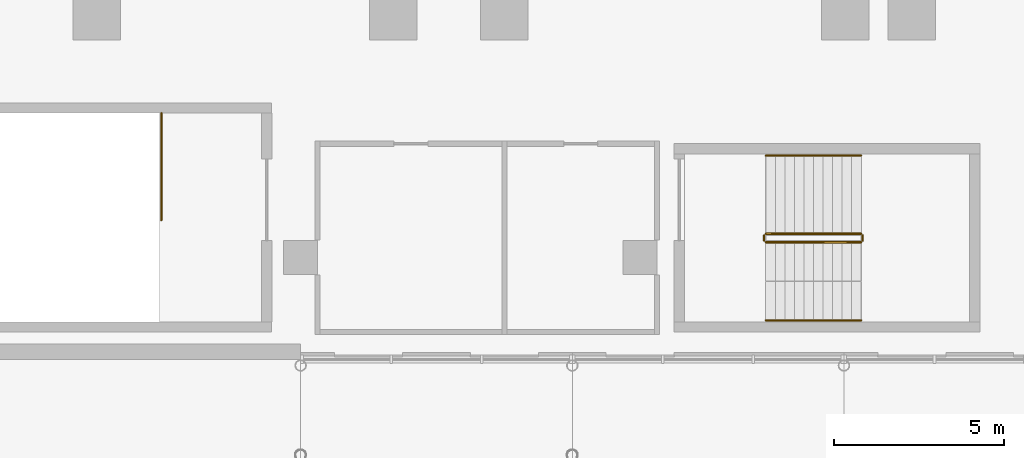
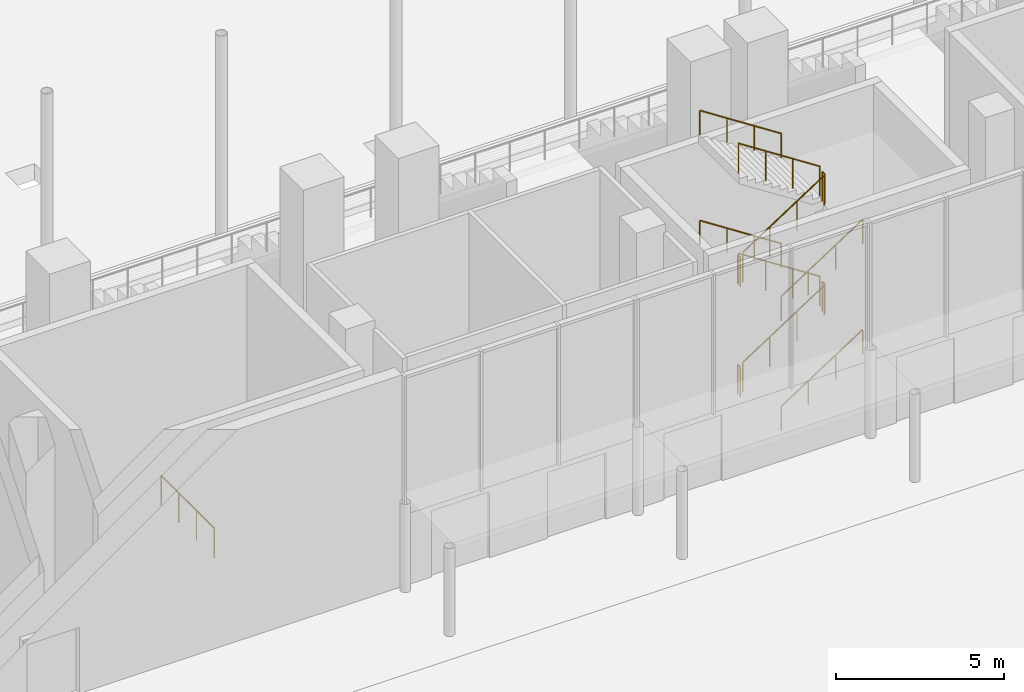
# One storey, part 33 of 41: 13 railings.
"""IFC4 building model written with IfcOpenShell, lengths in metres."""

import ifcopenshell
import ifcopenshell.guid

model = None  # the IFC model being written
_history = None  # IfcOwnerHistory: only IFC2X3 demands one
_inside = {}  # id of a spatial element -> (the spatial element, [elements in it])
_under = {}  # id of a project, library or spatial element -> (it, [spatial elements below it])
_declared = {}  # id of a project -> (the project, [libraries it declares])
_typed = {}  # id of a type object -> (the type object, [elements of that type])
_made_of = {}  # id of a material, layer set ... -> (it, [elements and type objects made of it])


def new_model(schema):
    """Start an empty IFC model of exactly this schema.

    Asked for "IFC4X3", IfcOpenShell would pick the latest addendum, in which some entities
    have other attributes; the version numbers below select the first issue.
    IFC2X3 requires an IfcOwnerHistory on every rooted entity: one is made here for all.
    """
    global model, _history
    if schema == "IFC4X3":
        model = ifcopenshell.file(schema_version=(4, 3, 0, 0))
    else:
        model = ifcopenshell.file(schema=schema)
    _inside.clear()
    _under.clear()
    _declared.clear()
    _typed.clear()
    _made_of.clear()
    _history = None
    if model.schema == "IFC2X3":
        org = make("IfcOrganization", Name="unknown")
        user = make(
            "IfcPersonAndOrganization",
            ThePerson=make("IfcPerson", FamilyName="unknown"),
            TheOrganization=org,
        )
        app = make(
            "IfcApplication",
            ApplicationDeveloper=org,
            Version="unknown",
            ApplicationFullName="unknown",
            ApplicationIdentifier="unknown",
        )
        _history = make(
            "IfcOwnerHistory",
            OwningUser=user,
            OwningApplication=app,
            ChangeAction="ADDED",
            CreationDate=0,
        )
    return model


def make(cls, **values):
    """One entity of the class cls with the attributes given. An attribute that is None is left unset."""
    return model.create_entity(
        cls, **{name: value for name, value in values.items() if value is not None}
    )


def rooted(cls, **values):
    """An entity with a GlobalId (a new one), such as an element, a storey or a relation."""
    return make(cls, GlobalId=ifcopenshell.guid.new(), OwnerHistory=_history, **values)


def si_unit(unit_type, name, prefix=None):
    """IfcSIUnit, for example si_unit("LENGTHUNIT", "METRE", prefix="MILLI")."""
    return make("IfcSIUnit", UnitType=unit_type, Prefix=prefix, Name=name)


def assignment(units):
    """IfcUnitAssignment: the units of a project."""
    return None if units is None else make("IfcUnitAssignment", Units=units)


def point(xyz):
    """IfcCartesianPoint."""
    return None if xyz is None else make("IfcCartesianPoint", Coordinates=xyz)


def direction(xyz):
    """IfcDirection."""
    return None if xyz is None else make("IfcDirection", DirectionRatios=xyz)


def frame(location, z_axis=None, x_axis=None):
    """IfcAxis2Placement3D, a coordinate frame: its origin and axes. An axis left out is left unset."""
    return make(
        "IfcAxis2Placement3D",
        Location=point(location),
        Axis=direction(z_axis),
        RefDirection=direction(x_axis),
    )


def frame_2d(location, x_axis=None):
    """IfcAxis2Placement2D, a coordinate frame in the plane: its origin and x axis."""
    return make(
        "IfcAxis2Placement2D", Location=point(location), RefDirection=direction(x_axis)
    )


def origin():
    """The frame at (0, 0, 0) with its axes left unset."""
    return frame((0.0, 0.0, 0.0))


def origin_2d():
    """The frame at (0, 0) in the plane with its x axis left unset."""
    return frame_2d((0.0, 0.0))


def place(relative_to, where):
    """IfcLocalPlacement: puts the frame where relative to a parent placement (None: the world)."""
    return make(
        "IfcLocalPlacement", PlacementRelTo=relative_to, RelativePlacement=where
    )


def context(
    kind, dimensions, precision=None, world=None, true_north=None, identifier=None
):
    """IfcGeometricRepresentationContext, for example the 3D "Model" context."""
    return make(
        "IfcGeometricRepresentationContext",
        ContextIdentifier=identifier,
        ContextType=kind,
        CoordinateSpaceDimension=dimensions,
        Precision=precision,
        WorldCoordinateSystem=world,
        TrueNorth=true_north,
    )


def subcontext(parent, identifier, kind, view, scale=None):
    """IfcGeometricRepresentationSubContext, for example "Body" below "Model"."""
    return make(
        "IfcGeometricRepresentationSubContext",
        ContextIdentifier=identifier,
        ContextType=kind,
        ParentContext=parent,
        TargetScale=scale,
        TargetView=view,
    )


def project(units=None, contexts=None):
    """IfcProject with its units and contexts."""
    return rooted(
        "IfcProject",
        Name="project",
        RepresentationContexts=contexts,
        UnitsInContext=assignment(units),
    )


def spatial(cls, under=None, at=None, **own):
    """A site, building, storey or space (cls), placed at a placement, below another one or the project."""
    s = rooted(cls, ObjectPlacement=at, **own)
    if under is not None:
        _under.setdefault(under.id(), (under, []))[1].append(s)
    return s


def profile(cls, at=None, kind="AREA", **sizes):
    """A parametric profile (cls). Its sizes go by their IFC names, for example OverallWidth=200.0."""
    return make(cls, ProfileType=kind, Position=at, **sizes)


def circle(**sizes):
    """IfcCircleProfileDef."""
    return profile("IfcCircleProfileDef", **sizes)


def extrude(swept, where, along, depth):
    """IfcExtrudedAreaSolid: the profile swept, set in the frame where, extruded along a direction by depth."""
    return make(
        "IfcExtrudedAreaSolid",
        SweptArea=swept,
        Position=where,
        ExtrudedDirection=direction(along),
        Depth=depth,
    )


def shape(context_of_items, identifier, shape_type, items):
    """IfcShapeRepresentation: the items that make up one representation, for example the "Body"."""
    return make(
        "IfcShapeRepresentation",
        ContextOfItems=context_of_items,
        RepresentationIdentifier=identifier,
        RepresentationType=shape_type,
        Items=items,
    )


def material(Name=None, Category=None):
    """IfcMaterial."""
    return make("IfcMaterial", Name=Name, Category=Category)


def made_of(thing, what):
    """Note that an element or type object is made of a material, layer set ...; save() writes the relation."""
    if what is not None:
        _made_of.setdefault(what.id(), (what, []))[1].append(thing)
    return thing


def type_object(cls, material=None, **own):
    """A type object (cls), such as IfcWallType, which elements share."""
    return made_of(rooted(cls, **own), material)


def element(
    cls,
    number,
    at=None,
    inside=None,
    cuts=None,
    type_object=None,
    material=None,
    context=None,
    identifier="Body",
    shape_type=None,
    held_by="IfcProductDefinitionShape",
    body=None,
    shapes=None,
    **own,
):
    """One element of the class cls, such as IfcWall. Its Tag is "e" and its number.

    at: its placement. inside: the storey or other place that contains it. cuts: it is an
    opening in that element (IfcRelVoidsElement). A single representation is given by context,
    identifier, shape_type and body (its items); several are given by shapes. held_by: the class
    of the entity that holds the representations. save() writes the other relations.
    """
    e = rooted(cls, Tag="e%d" % number, ObjectPlacement=at, **own)
    if body is not None:
        shapes = [shape(context, identifier, shape_type, body)]
    if shapes is not None:
        e.Representation = make(held_by, Representations=shapes)
    if inside is not None:
        _inside.setdefault(inside.id(), (inside, []))[1].append(e)
    if cuts is not None:
        rooted(
            "IfcRelVoidsElement", RelatingBuildingElement=cuts, RelatedOpeningElement=e
        )
    if type_object is not None:
        _typed.setdefault(type_object.id(), (type_object, []))[1].append(e)
    return made_of(e, material)


def aggregate(whole, parts):
    """IfcRelAggregates: a whole, such as a stair, and the parts it consists of."""
    return rooted("IfcRelAggregates", RelatingObject=whole, RelatedObjects=parts)


def save(model, path):
    """Write the relations noted so far, then the file.

    IfcRelAggregates (storeys below a building ...), IfcRelContainedInSpatialStructure (elements
    in a storey), IfcRelDefinesByType, IfcRelAssociatesMaterial and IfcRelDeclares: one each for
    every whole, place, type object, material and project.
    """
    for whole, parts in _under.values():
        aggregate(whole, parts)
    for where, things in _inside.values():
        rooted(
            "IfcRelContainedInSpatialStructure",
            RelatedElements=things,
            RelatingStructure=where,
        )
    for kind, things in _typed.values():
        rooted("IfcRelDefinesByType", RelatedObjects=things, RelatingType=kind)
    for what, things in _made_of.values():
        rooted("IfcRelAssociatesMaterial", RelatedObjects=things, RelatingMaterial=what)
    for by, libraries in _declared.values():
        rooted("IfcRelDeclares", RelatingContext=by, RelatedDefinitions=libraries)
    model.write(path)


model = new_model("IFC4")

# Units and contexts
model_context = context("Model", 3, precision=1e-05, world=origin(), true_north=direction((0.0, 1.0)))
body_context = subcontext(model_context, "Body", "Model", "MODEL_VIEW")
ifc_project = project(units=[si_unit("LENGTHUNIT", "METRE"), si_unit("AREAUNIT", "SQUARE_METRE"), si_unit("VOLUMEUNIT", "CUBIC_METRE"), si_unit("PLANEANGLEUNIT", "RADIAN"), si_unit("MASSUNIT", "GRAM", prefix="KILO")], contexts=[model_context])

# Site, building, storey
site_placement = place(None, origin())
site = spatial("IfcSite", under=ifc_project, at=site_placement, CompositionType="ELEMENT")
building_placement = place(site_placement, origin())
building = spatial("IfcBuilding", under=site, at=building_placement, Name="Wharfspan Tower", CompositionType="ELEMENT")
storey_placement = place(building_placement, origin())
storey = spatial("IfcBuildingStorey", under=building, at=storey_placement, Name="L00", CompositionType="ELEMENT", Elevation=0.0)

# Railings
ifc_material = material(Name="Steel S355J2", Category="steel")
railing_type_1 = type_object("IfcRailingType", Name="Podium guard 1100", PredefinedType="GUARDRAIL", material=ifc_material)
railing_1_placement = place(storey_placement, frame((43.699951, -28.550049, 0.181885)))
element("IfcRailing", 1, at=railing_1_placement, inside=storey, type_object=railing_type_1, Name="L00 AS5 stair guard 1", PredefinedType="GUARDRAIL", context=body_context, shape_type="SweptSolid", body=[
    extrude(circle(Radius=0.023926, at=origin_2d()), frame((0.0, 0.0, 1.076172), z_axis=(0.838706, 0.0, 0.544585), x_axis=(0.0, 1.0, 0.0)), (0.0, 0.0, 1.0), 3.338623),
    extrude(circle(Radius=0.020996, at=origin_2d()), origin(), (0.0, 0.0, 1.0), 1.052002),
    extrude(circle(Radius=0.020996, at=origin_2d()), frame((0.93335, 0.0, 0.605957)), (0.0, 0.0, 1.0), 1.052002),
    extrude(circle(Radius=0.020996, at=origin_2d()), frame((1.866699, 0.0, 1.212158)), (0.0, 0.0, 1.0), 1.052002),
    extrude(circle(Radius=0.020996, at=origin_2d()), frame((2.800049, 0.0, 1.818115)), (0.0, 0.0, 1.0), 1.052002),
])
railing_2_placement = place(storey_placement, frame((46.550049, -28.5, 2.0)))
element("IfcRailing", 2, at=railing_2_placement, inside=storey, type_object=railing_type_1, Name="L00 AS5 stair guard 2", PredefinedType="GUARDRAIL", context=body_context, shape_type="SweptSolid", body=[
    extrude(circle(Radius=0.023926, at=origin_2d()), frame((0.0, 0.0, 1.076172), z_axis=(0.0, 1.0, 0.0), x_axis=(-1.0, 0.0, 0.0)), (0.0, 0.0, 1.0), 0.149902),
    extrude(circle(Radius=0.020996, at=origin_2d()), origin(), (0.0, 0.0, 1.0), 1.052002),
    extrude(circle(Radius=0.020996, at=origin_2d()), frame((0.0, 0.149902, 0.0)), (0.0, 0.0, 1.0), 1.052002),
])
railing_3_placement = place(storey_placement, frame((46.5, -28.300049, 2.181885)))
element("IfcRailing", 3, at=railing_3_placement, inside=storey, type_object=railing_type_1, Name="L00 AS5 stair guard 3", PredefinedType="GUARDRAIL", context=body_context, shape_type="SweptSolid", body=[
    extrude(circle(Radius=0.023926, at=origin_2d()), frame((0.0, 0.0, 1.076172), z_axis=(-0.838706, 0.0, 0.544585), x_axis=(0.0, -1.0, 0.0)), (0.0, 0.0, 1.0), 3.338623),
    extrude(circle(Radius=0.020996, at=origin_2d()), origin(), (0.0, 0.0, 1.0), 1.052002),
    extrude(circle(Radius=0.020996, at=origin_2d()), frame((-0.93335, 0.0, 0.605957)), (0.0, 0.0, 1.0), 1.052002),
    extrude(circle(Radius=0.020996, at=origin_2d()), frame((-1.866699, 0.0, 1.212158)), (0.0, 0.0, 1.0), 1.052002),
    extrude(circle(Radius=0.020996, at=origin_2d()), frame((-2.800049, 0.0, 1.818115)), (0.0, 0.0, 1.0), 1.052002),
])
railing_4_placement = place(storey_placement, frame((43.649902, -28.5, 4.0)))
element("IfcRailing", 4, at=railing_4_placement, inside=storey, type_object=railing_type_1, Name="L00 AS5 stair guard 4", PredefinedType="GUARDRAIL", context=body_context, shape_type="SweptSolid", body=[
    extrude(circle(Radius=0.023926, at=origin_2d()), frame((0.0, 0.0, 1.076172), z_axis=(0.0, 1.0, 0.0), x_axis=(-1.0, 0.0, 0.0)), (0.0, 0.0, 1.0), 0.149902),
    extrude(circle(Radius=0.020996, at=origin_2d()), origin(), (0.0, 0.0, 1.0), 1.052002),
    extrude(circle(Radius=0.020996, at=origin_2d()), frame((0.0, 0.149902, 0.0)), (0.0, 0.0, 1.0), 1.052002),
])
railing_5_placement = place(storey_placement, frame((43.699951, -28.550049, 4.181885)))
element("IfcRailing", 5, at=railing_5_placement, inside=storey, type_object=railing_type_1, Name="L00 AS5 stair guard 5", PredefinedType="GUARDRAIL", context=body_context, shape_type="SweptSolid", body=[
    extrude(circle(Radius=0.023926, at=origin_2d()), frame((0.0, 0.0, 1.076172), z_axis=(0.838706, 0.0, 0.544585), x_axis=(0.0, 1.0, 0.0)), (0.0, 0.0, 1.0), 3.338623),
    extrude(circle(Radius=0.020996, at=origin_2d()), origin(), (0.0, 0.0, 1.0), 1.052002),
    extrude(circle(Radius=0.020996, at=origin_2d()), frame((0.93335, 0.0, 0.605957)), (0.0, 0.0, 1.0), 1.052002),
    extrude(circle(Radius=0.020996, at=origin_2d()), frame((1.866699, 0.0, 1.212158)), (0.0, 0.0, 1.0), 1.052002),
    extrude(circle(Radius=0.020996, at=origin_2d()), frame((2.800049, 0.0, 1.818115)), (0.0, 0.0, 1.0), 1.052002),
])
railing_6_placement = place(storey_placement, frame((46.550049, -28.5, 6.0)))
element("IfcRailing", 6, at=railing_6_placement, inside=storey, type_object=railing_type_1, Name="L00 AS5 stair guard 6", PredefinedType="GUARDRAIL", context=body_context, shape_type="SweptSolid", body=[
    extrude(circle(Radius=0.023926, at=origin_2d()), frame((0.0, 0.0, 1.076172), z_axis=(0.0, 1.0, 0.0), x_axis=(-1.0, 0.0, 0.0)), (0.0, 0.0, 1.0), 0.149902),
    extrude(circle(Radius=0.020996, at=origin_2d()), origin(), (0.0, 0.0, 1.0), 1.052002),
    extrude(circle(Radius=0.020996, at=origin_2d()), frame((0.0, 0.149902, 0.0)), (0.0, 0.0, 1.0), 1.052002),
])
railing_7_placement = place(storey_placement, frame((46.5, -28.300049, 6.181885)))
element("IfcRailing", 7, at=railing_7_placement, inside=storey, type_object=railing_type_1, Name="L00 AS5 stair guard 7", PredefinedType="GUARDRAIL", context=body_context, shape_type="SweptSolid", body=[
    extrude(circle(Radius=0.023926, at=origin_2d()), frame((0.0, 0.0, 1.076172), z_axis=(-0.838706, 0.0, 0.544585), x_axis=(0.0, -1.0, 0.0)), (0.0, 0.0, 1.0), 3.338623),
    extrude(circle(Radius=0.020996, at=origin_2d()), origin(), (0.0, 0.0, 1.0), 1.052002),
    extrude(circle(Radius=0.020996, at=origin_2d()), frame((-0.93335, 0.0, 0.605957)), (0.0, 0.0, 1.0), 1.052002),
    extrude(circle(Radius=0.020996, at=origin_2d()), frame((-1.866699, 0.0, 1.212158)), (0.0, 0.0, 1.0), 1.052002),
    extrude(circle(Radius=0.020996, at=origin_2d()), frame((-2.800049, 0.0, 1.818115)), (0.0, 0.0, 1.0), 1.052002),
])
railing_8_placement = place(storey_placement, frame((43.649902, -28.5, 0.0)))
element("IfcRailing", 8, at=railing_8_placement, inside=storey, type_object=railing_type_1, Name="L00 AS5 stair guard 8", PredefinedType="GUARDRAIL", context=body_context, shape_type="SweptSolid", body=[
    extrude(circle(Radius=0.023926, at=origin_2d()), frame((0.0, 0.0, 1.076172), z_axis=(0.0, 1.0, 0.0), x_axis=(-1.0, 0.0, 0.0)), (0.0, 0.0, 1.0), 0.149902),
    extrude(circle(Radius=0.020996, at=origin_2d()), origin(), (0.0, 0.0, 1.0), 1.052002),
    extrude(circle(Radius=0.020996, at=origin_2d()), frame((0.0, 0.149902, 0.0)), (0.0, 0.0, 1.0), 1.052002),
])
railing_9_placement = place(storey_placement, frame((25.899902, -24.75, 0.0)))
element("IfcRailing", 9, at=railing_9_placement, inside=storey, type_object=railing_type_1, Name="L00 SB2 top well guard 1", PredefinedType="GUARDRAIL", context=body_context, shape_type="SweptSolid", body=[
    extrude(circle(Radius=0.023926, at=origin_2d()), frame((0.0, 0.0, 1.076172), z_axis=(0.0, -1.0, 0.0), x_axis=(1.0, 0.0, 0.0)), (0.0, 0.0, 1.0), 3.149902),
    extrude(circle(Radius=0.020996, at=origin_2d()), origin(), (0.0, 0.0, 1.0), 1.052002),
    extrude(circle(Radius=0.020996, at=origin_2d()), frame((0.0, -1.050049, 0.0)), (0.0, 0.0, 1.0), 1.052002),
    extrude(circle(Radius=0.020996, at=origin_2d()), frame((0.0, -2.099854, 0.0)), (0.0, 0.0, 1.0), 1.052002),
    extrude(circle(Radius=0.020996, at=origin_2d()), frame((0.0, -3.149902, 0.0)), (0.0, 0.0, 1.0), 1.052002),
])
railing_type_2 = type_object("IfcRailingType", Name="Podium stair handrail 900", PredefinedType="HANDRAIL", material=ifc_material)
railing_10_placement = place(storey_placement, frame((43.699951, -30.850098, 0.181885)))
element("IfcRailing", 10, at=railing_10_placement, inside=storey, type_object=railing_type_2, Name="L00 AS5 stair handrail 1", PredefinedType="HANDRAIL", context=body_context, shape_type="SweptSolid", body=[
    extrude(circle(Radius=0.023926, at=origin_2d()), frame((0.0, 0.0, 0.875977), z_axis=(0.838706, 0.0, 0.544585), x_axis=(0.0, 1.0, 0.0)), (0.0, 0.0, 1.0), 3.338623),
    extrude(circle(Radius=0.020996, at=origin_2d()), origin(), (0.0, 0.0, 1.0), 0.851807),
    extrude(circle(Radius=0.020996, at=origin_2d()), frame((0.93335, 0.0, 0.605957)), (0.0, 0.0, 1.0), 0.851807),
    extrude(circle(Radius=0.020996, at=origin_2d()), frame((1.866699, 0.0, 1.212158)), (0.0, 0.0, 1.0), 0.851807),
    extrude(circle(Radius=0.020996, at=origin_2d()), frame((2.800049, 0.0, 1.818115)), (0.0, 0.0, 1.0), 0.851807),
])
railing_11_placement = place(storey_placement, frame((46.5, -26.0, 2.181885)))
element("IfcRailing", 11, at=railing_11_placement, inside=storey, type_object=railing_type_2, Name="L00 AS5 stair handrail 2", PredefinedType="HANDRAIL", context=body_context, shape_type="SweptSolid", body=[
    extrude(circle(Radius=0.023926, at=origin_2d()), frame((0.0, 0.0, 0.875977), z_axis=(-0.838706, 0.0, 0.544585), x_axis=(0.0, -1.0, 0.0)), (0.0, 0.0, 1.0), 3.338623),
    extrude(circle(Radius=0.020996, at=origin_2d()), origin(), (0.0, 0.0, 1.0), 0.851807),
    extrude(circle(Radius=0.020996, at=origin_2d()), frame((-0.93335, 0.0, 0.605957)), (0.0, 0.0, 1.0), 0.851807),
    extrude(circle(Radius=0.020996, at=origin_2d()), frame((-1.866699, 0.0, 1.212158)), (0.0, 0.0, 1.0), 0.851807),
    extrude(circle(Radius=0.020996, at=origin_2d()), frame((-2.800049, 0.0, 1.818115)), (0.0, 0.0, 1.0), 0.851807),
])
railing_12_placement = place(storey_placement, frame((43.699951, -30.850098, 4.181885)))
element("IfcRailing", 12, at=railing_12_placement, inside=storey, type_object=railing_type_2, Name="L00 AS5 stair handrail 3", PredefinedType="HANDRAIL", context=body_context, shape_type="SweptSolid", body=[
    extrude(circle(Radius=0.023926, at=origin_2d()), frame((0.0, 0.0, 0.875977), z_axis=(0.838706, 0.0, 0.544585), x_axis=(0.0, 1.0, 0.0)), (0.0, 0.0, 1.0), 3.338623),
    extrude(circle(Radius=0.020996, at=origin_2d()), origin(), (0.0, 0.0, 1.0), 0.851807),
    extrude(circle(Radius=0.020996, at=origin_2d()), frame((0.93335, 0.0, 0.605957)), (0.0, 0.0, 1.0), 0.851807),
    extrude(circle(Radius=0.020996, at=origin_2d()), frame((1.866699, 0.0, 1.212158)), (0.0, 0.0, 1.0), 0.851807),
    extrude(circle(Radius=0.020996, at=origin_2d()), frame((2.800049, 0.0, 1.818115)), (0.0, 0.0, 1.0), 0.851807),
])
railing_13_placement = place(storey_placement, frame((46.5, -26.0, 6.181885)))
element("IfcRailing", 13, at=railing_13_placement, inside=storey, type_object=railing_type_2, Name="L00 AS5 stair handrail 4", PredefinedType="HANDRAIL", context=body_context, shape_type="SweptSolid", body=[
    extrude(circle(Radius=0.023926, at=origin_2d()), frame((0.0, 0.0, 0.875977), z_axis=(-0.838706, 0.0, 0.544585), x_axis=(0.0, -1.0, 0.0)), (0.0, 0.0, 1.0), 3.338623),
    extrude(circle(Radius=0.020996, at=origin_2d()), origin(), (0.0, 0.0, 1.0), 0.851807),
    extrude(circle(Radius=0.020996, at=origin_2d()), frame((-0.93335, 0.0, 0.605957)), (0.0, 0.0, 1.0), 0.851807),
    extrude(circle(Radius=0.020996, at=origin_2d()), frame((-1.866699, 0.0, 1.212158)), (0.0, 0.0, 1.0), 0.851807),
    extrude(circle(Radius=0.020996, at=origin_2d()), frame((-2.800049, 0.0, 1.818115)), (0.0, 0.0, 1.0), 0.851807),
])

save(model, "model.ifc")
